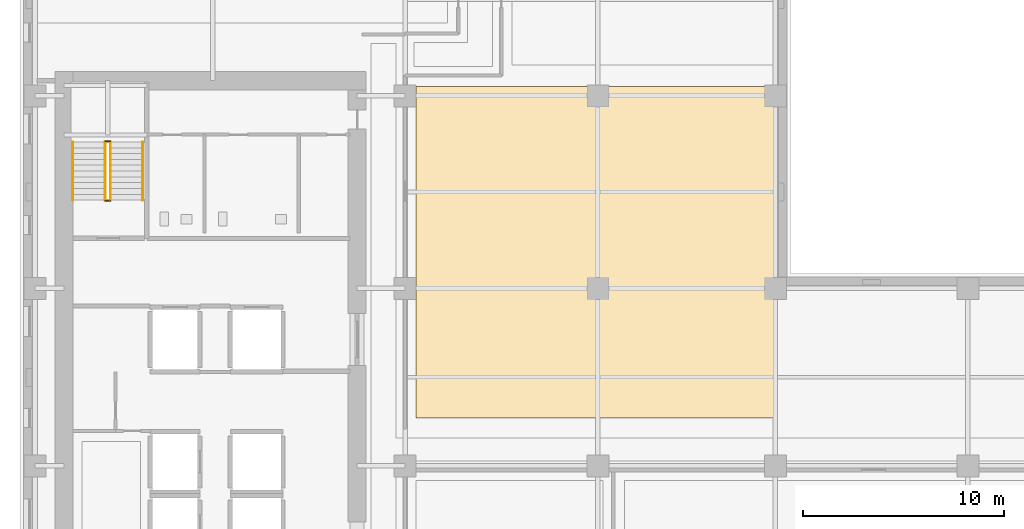
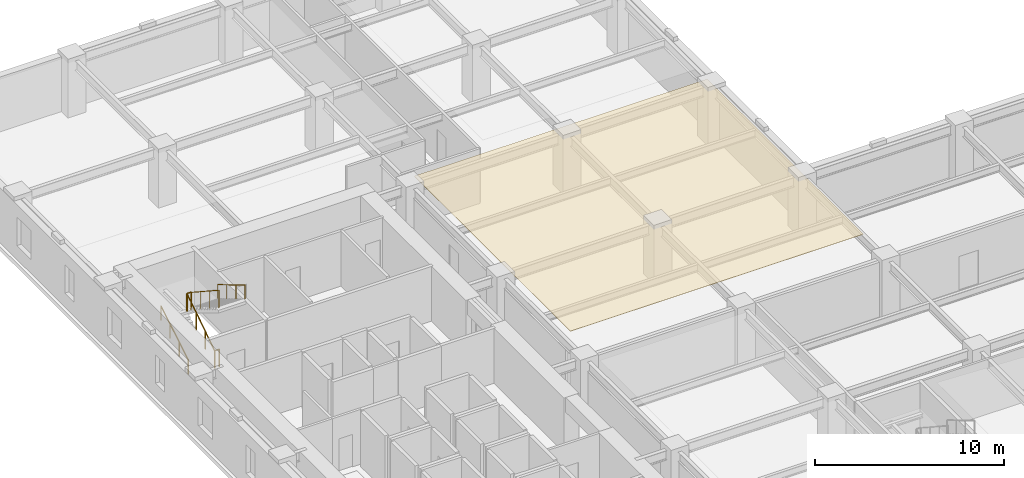
# One storey, part 11 of 13: 6 railings, 1 covering.
"""IFC4 building model written with IfcOpenShell, lengths in metres."""

from ifc_helpers import new_model, si_unit, direction, frame, origin, origin_2d, place, context, subcontext, project, spatial, polyline, circle, outline, extrude, material, layer, layer_set, type_object, element, save


model = new_model("IFC4")

# Units and contexts
model_context = context("Model", 3, precision=1e-05, world=origin(), true_north=direction((0.0, 1.0)))
body_context = subcontext(model_context, "Body", "Model", "MODEL_VIEW")
ifc_project = project(units=[si_unit("LENGTHUNIT", "METRE"), si_unit("AREAUNIT", "SQUARE_METRE"), si_unit("VOLUMEUNIT", "CUBIC_METRE"), si_unit("PLANEANGLEUNIT", "RADIAN"), si_unit("MASSUNIT", "GRAM", prefix="KILO")], contexts=[model_context])

# Site, building, storey
site_placement = place(None, origin())
site = spatial("IfcSite", under=ifc_project, at=site_placement, CompositionType="ELEMENT")
building_placement = place(site_placement, origin())
building = spatial("IfcBuilding", under=site, at=building_placement, Name="Norrvale University Quadrangle", CompositionType="ELEMENT")
storey_placement = place(building_placement, frame((0.0, 0.0, 66.0)))
storey = spatial("IfcBuildingStorey", under=building, at=storey_placement, Name="L16", CompositionType="ELEMENT", Elevation=66.0)

# Covering
ifc_material_1 = material(Name="Perforated Acoustic Mineral Ceiling")
ifc_layer = layer(ifc_material_1, 0.02490234375, Name="Perforated Acoustic Mineral Ceiling")
ifc_layer_set = layer_set([ifc_layer], Name="Perforated Acoustic Mineral Ceiling")
covering_type = type_object("IfcCoveringType", Name="Covering Acoustic Ceiling 25", PredefinedType="CEILING", material=ifc_layer_set)
covering_placement = place(storey_placement, frame((0.0, 0.0, 3.514892578125)))
element("IfcCovering", 1, at=covering_placement, inside=storey, type_object=covering_type, Name="Acoustic Ceiling RM-L16-MNE01", PredefinedType="CEILING", context=body_context, shape_type="SweptSolid", body=[
    extrude(outline(polyline([(19.72998046875, 47.719970703125), (37.64990234375, 47.719970703125), (37.64990234375, 31.179931640625), (19.72998046875, 31.179931640625), (19.72998046875, 47.719970703125)])), origin(), (0.0, 0.0, 1.0), 0.025146484375),
])

# Railings
ifc_material_2 = material(Name="Steel 350W Painted Balustrade", Category="steel")
railing_type_1 = type_object("IfcRailingType", Name="Railing Stair Guard 1100", PredefinedType="GUARDRAIL", material=ifc_material_2)
for number, where, name in (
    (2, (4.239990234375, 42.02001953125, 0.0), "Stair Floor Well Guard ST-02 L16"),
    (3, (4.239990234375, 44.97998046875, 1.89990234375), "Stair Mid-Landing Slot Guard ST-02 L16"),
):
    element("IfcRailing", number, at=place(storey_placement, frame(where)), inside=storey, type_object=railing_type_1, Name=name, PredefinedType="GUARDRAIL", context=body_context, shape_type="SweptSolid", body=[
        extrude(circle(Radius=0.02392578125, at=origin_2d()), frame((0.0, 0.0, 1.1259765625), z_axis=(1.0, 0.0, 0.0), x_axis=(0.0, 1.0, 0.0)), (0.0, 0.0, 1.0), 0.27001953125),
        extrude(circle(Radius=0.02099609375, at=origin_2d()), origin(), (0.0, 0.0, 1.0), 1.101806640625),
        extrude(circle(Radius=0.02099609375, at=origin_2d()), frame((0.27001953125, 0.0, 0.0)), (0.0, 0.0, 1.0), 1.101806640625),
    ])
railing_1_placement = place(storey_placement, frame((4.239990234375, 42.050048828125, 0.0)))
element("IfcRailing", 4, at=railing_1_placement, inside=storey, type_object=railing_type_1, Name="Stair Lower Flight Inner Guard ST-02 L16", PredefinedType="GUARDRAIL", context=body_context, shape_type="SweptSolid", body=[
    extrude(circle(Radius=0.02392578125, at=origin_2d()), frame((0.0, 0.0, 1.1259765625), z_axis=(0.0, 0.836465582154, 0.548019461216), x_axis=(-1.0, 0.0, 0.0)), (0.0, 0.0, 1.0), 3.466796875),
    extrude(circle(Radius=0.02099609375, at=origin_2d()), origin(), (0.0, 0.0, 1.0), 1.101806640625),
    extrude(circle(Radius=0.02099609375, at=origin_2d()), frame((0.0, 0.966552734375, 0.63330078125)), (0.0, 0.0, 1.0), 1.101806640625),
    extrude(circle(Radius=0.02099609375, at=origin_2d()), frame((0.0, 1.933349609375, 1.2666015625)), (0.0, 0.0, 1.0), 1.101806640625),
    extrude(circle(Radius=0.02099609375, at=origin_2d()), frame((0.0, 2.89990234375, 1.89990234375)), (0.0, 0.0, 1.0), 1.101806640625),
])
railing_2_placement = place(storey_placement, frame((4.510009765625, 44.949951171875, 1.89990234375)))
element("IfcRailing", 5, at=railing_2_placement, inside=storey, type_object=railing_type_1, Name="Stair Upper Flight Inner Guard ST-02 L16", PredefinedType="GUARDRAIL", context=body_context, shape_type="SweptSolid", body=[
    extrude(circle(Radius=0.02392578125, at=origin_2d()), frame((0.0, 0.0, 1.1259765625), z_axis=(0.0, -0.836433300813, 0.548068730445), x_axis=(1.0, 0.0, 0.0)), (0.0, 0.0, 1.0), 3.467041015625),
    extrude(circle(Radius=0.02099609375, at=origin_2d()), origin(), (0.0, 0.0, 1.0), 1.101806640625),
    extrude(circle(Radius=0.02099609375, at=origin_2d()), frame((0.0, -0.966552734375, 0.63330078125)), (0.0, 0.0, 1.0), 1.101806640625),
    extrude(circle(Radius=0.02099609375, at=origin_2d()), frame((0.0, -1.933349609375, 1.266845703125)), (0.0, 0.0, 1.0), 1.101806640625),
    extrude(circle(Radius=0.02099609375, at=origin_2d()), frame((0.0, -2.89990234375, 1.900146484375)), (0.0, 0.0, 1.0), 1.101806640625),
])
ifc_material_3 = material(Name="Stainless Steel 316L Handrail", Category="steel")
railing_type_2 = type_object("IfcRailingType", Name="Railing Stair Handrail 920", PredefinedType="HANDRAIL", material=ifc_material_3)
railing_3_placement = place(storey_placement, frame((2.639892578125, 42.050048828125, 0.172607421875)))
element("IfcRailing", 6, at=railing_3_placement, inside=storey, type_object=railing_type_2, Name="Stair Lower Flight Handrail ST-02 L16", PredefinedType="HANDRAIL", context=body_context, shape_type="SweptSolid", body=[
    extrude(circle(Radius=0.02392578125, at=origin_2d()), frame((0.0, 0.0, 0.89599609375), z_axis=(0.0, 0.859141464434, 0.511738159696), x_axis=(-1.0, 0.0, 0.0)), (0.0, 0.0, 1.0), 3.375244140625),
    extrude(circle(Radius=0.02099609375, at=origin_2d()), origin(), (0.0, 0.0, 1.0), 0.871826171875),
    extrude(circle(Radius=0.02099609375, at=origin_2d()), frame((0.0, 0.966552734375, 0.57568359375)), (0.0, 0.0, 1.0), 0.871826171875),
    extrude(circle(Radius=0.02099609375, at=origin_2d()), frame((0.0, 1.933349609375, 1.151611328125)), (0.0, 0.0, 1.0), 0.871826171875),
    extrude(circle(Radius=0.02099609375, at=origin_2d()), frame((0.0, 2.89990234375, 1.727294921875)), (0.0, 0.0, 1.0), 0.871826171875),
])
railing_4_placement = place(storey_placement, frame((6.110107421875, 44.949951171875, 2.07275390625)))
element("IfcRailing", 7, at=railing_4_placement, inside=storey, type_object=railing_type_2, Name="Stair Upper Flight Handrail ST-02 L16", PredefinedType="HANDRAIL", context=body_context, shape_type="SweptSolid", body=[
    extrude(circle(Radius=0.02392578125, at=origin_2d()), frame((0.0, 0.0, 0.89599609375), z_axis=(0.0, -0.859141464434, 0.511738159696), x_axis=(1.0, 0.0, 0.0)), (0.0, 0.0, 1.0), 3.375244140625),
    extrude(circle(Radius=0.02099609375, at=origin_2d()), origin(), (0.0, 0.0, 1.0), 0.871826171875),
    extrude(circle(Radius=0.02099609375, at=origin_2d()), frame((0.0, -0.966552734375, 0.57568359375)), (0.0, 0.0, 1.0), 0.871826171875),
    extrude(circle(Radius=0.02099609375, at=origin_2d()), frame((0.0, -1.933349609375, 1.151611328125)), (0.0, 0.0, 1.0), 0.871826171875),
    extrude(circle(Radius=0.02099609375, at=origin_2d()), frame((0.0, -2.89990234375, 1.727294921875)), (0.0, 0.0, 1.0), 0.871826171875),
])

save(model, "model.ifc")
